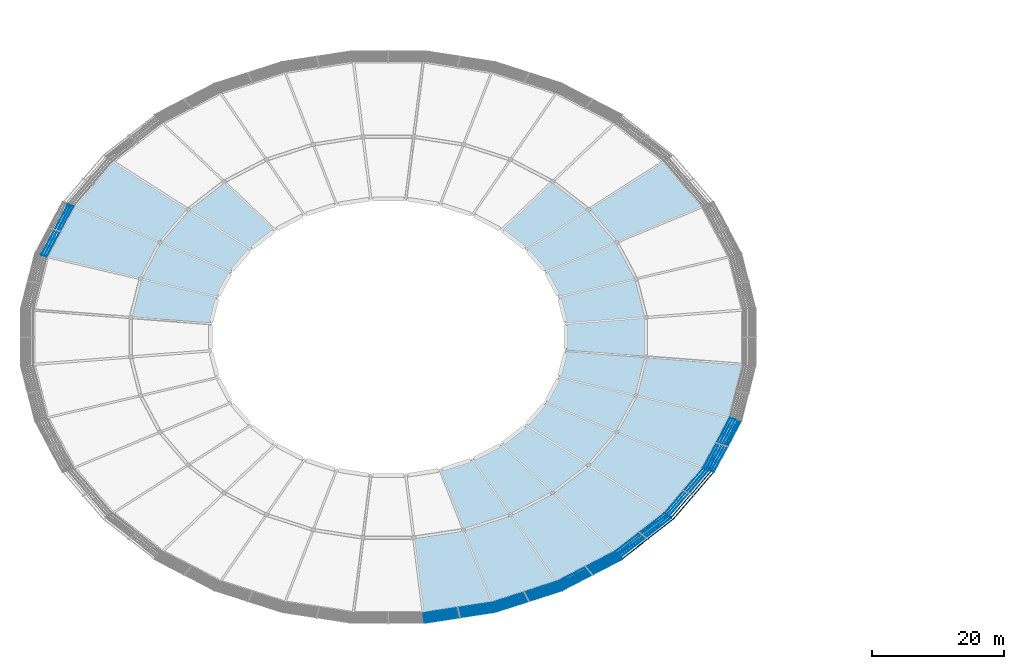
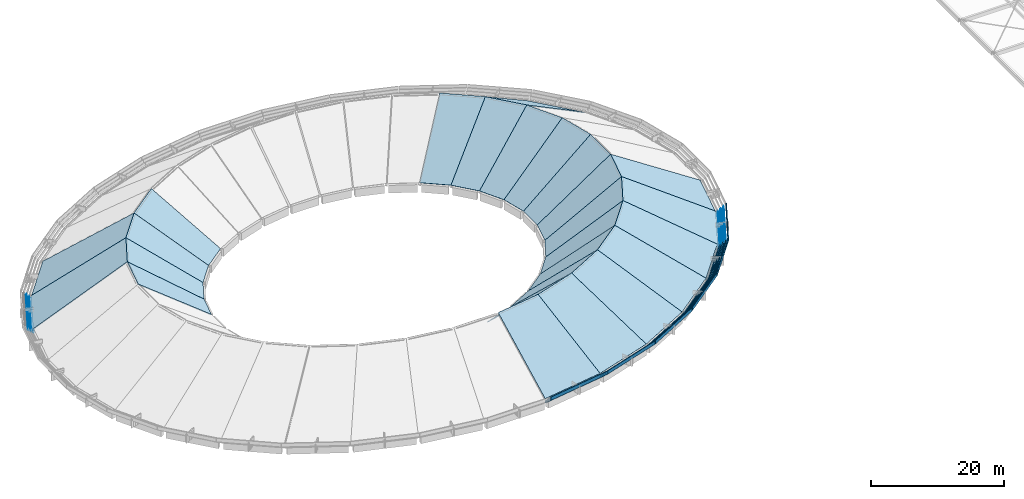
# One storey, part 6 of 15: 33 plates, 25 slabs.
"""IFC4 building model written with IfcOpenShell, lengths in metres."""

from ifc_helpers import new_model, si_unit, direction, frame, origin, origin_2d, place, context, subcontext, project, spatial, polyline, rectangle, outline, extrude, material, layer, layer_set, type_object, element, save


model = new_model("IFC4")

# Units and contexts
model_context = context("Model", 3, precision=1e-05, world=origin(), true_north=direction((0.0, 1.0)))
body_context = subcontext(model_context, "Body", "Model", "MODEL_VIEW")
ifc_project = project(units=[si_unit("LENGTHUNIT", "METRE"), si_unit("AREAUNIT", "SQUARE_METRE"), si_unit("VOLUMEUNIT", "CUBIC_METRE"), si_unit("PLANEANGLEUNIT", "RADIAN"), si_unit("MASSUNIT", "GRAM", prefix="KILO")], contexts=[model_context])

# Site, building, storey
site_placement = place(None, origin())
site = spatial("IfcSite", under=ifc_project, at=site_placement, CompositionType="ELEMENT")
building_placement = place(site_placement, origin())
building = spatial("IfcBuilding", under=site, at=building_placement, Name="Corvandel Quay Wholesale Market", CompositionType="ELEMENT")
storey_placement = place(building_placement, frame((0.0, 0.0, 19.199951171875)))
storey = spatial("IfcBuildingStorey", under=building, at=storey_placement, Name="RF", CompositionType="ELEMENT", Elevation=19.199951171875)

# Plates
ifc_material_1 = material(Name="Architectural white precast concrete C45/55", Category="concrete")
ifc_layer_1 = layer(ifc_material_1, 0.090087890625)
ifc_layer_set_1 = layer_set([ifc_layer_1], Name="Architectural white precast concrete C45/55")
plate_type_1 = type_object("IfcPlateType", Name="Stepped White Precast Shell Fascia Band FP01", PredefinedType="SHEET", material=ifc_layer_set_1)
plate_1_placement = place(storey_placement, frame((64.110595703125, 58.072509765625, -4.8798828125), z_axis=(0.0, 0.0, 1.0), x_axis=(0.470087862033, 0.882619624736, 0.0)))
element("IfcPlate", 1, at=plate_1_placement, inside=storey, type_object=plate_type_1, Name="Stepped Shell Rim Fascia FP-0014", PredefinedType="SHEET", context=body_context, shape_type="SweptSolid", body=[
    extrude(rectangle(XDim=8.60009765625, YDim=0.090087890625, at=origin_2d()), origin(), (0.0, 0.0, 1.0), 0.4599609375),
])
plate_2_placement = place(storey_placement, frame((124.534912109375, 0.806884765625, -4.8798828125), z_axis=(0.0, 0.0, 1.0), x_axis=(0.98825506746, 0.152813355565, 0.0)))
element("IfcPlate", 2, at=plate_2_placement, inside=storey, type_object=plate_type_1, Name="Stepped Shell Rim Fascia FP-0025", PredefinedType="SHEET", context=body_context, shape_type="SweptSolid", body=[
    extrude(rectangle(XDim=10.49609375, YDim=0.090087890625, at=origin_2d()), origin(), (0.0, 0.0, 1.0), 0.4599609375),
])
plate_3_placement = place(storey_placement, frame((134.6650390625, 3.197021484375, -4.8798828125), z_axis=(0.0, 0.0, 1.0), x_axis=(0.951808747363, 0.306692204733, 0.0)))
element("IfcPlate", 3, at=plate_3_placement, inside=storey, type_object=plate_type_1, Name="Stepped Shell Rim Fascia FP-0026", PredefinedType="SHEET", context=body_context, shape_type="SweptSolid", body=[
    extrude(rectangle(XDim=10.264892578125, YDim=0.090087890625, at=origin_2d()), origin(), (0.0, 0.0, 1.0), 0.4599609375),
])
plate_4_placement = place(storey_placement, frame((144.0009765625, 7.077880859375, -4.8798828125), z_axis=(0.0, 0.0, 1.0), x_axis=(0.887332978338, 0.461129250378, 0.0)))
element("IfcPlate", 4, at=plate_4_placement, inside=storey, type_object=plate_type_1, Name="Stepped Shell Rim Fascia FP-0027", PredefinedType="SHEET", context=body_context, shape_type="SweptSolid", body=[
    extrude(rectangle(XDim=9.906982421875, YDim=0.090087890625, at=origin_2d()), origin(), (0.0, 0.0, 1.0), 0.4599609375),
])
plate_5_placement = place(storey_placement, frame((152.18408203125, 12.301513671875, -4.8798828125), z_axis=(0.0, 0.0, 1.0), x_axis=(0.789298462742, 0.614009720373, 0.0)))
element("IfcPlate", 5, at=plate_5_placement, inside=storey, type_object=plate_type_1, Name="Stepped Shell Rim Fascia FP-0028", PredefinedType="SHEET", context=body_context, shape_type="SweptSolid", body=[
    extrude(rectangle(XDim=9.469970703125, YDim=0.090087890625, at=origin_2d()), origin(), (0.0, 0.0, 1.0), 0.4599609375),
])
plate_6_placement = place(storey_placement, frame((158.8994140625, 18.66650390625, -4.8798828125), z_axis=(0.0, 0.0, 1.0), x_axis=(0.651568967347, 0.758589401976, 0.0)))
element("IfcPlate", 6, at=plate_6_placement, inside=storey, type_object=plate_type_1, Name="Stepped Shell Rim Fascia FP-0029", PredefinedType="SHEET", context=body_context, shape_type="SweptSolid", body=[
    extrude(rectangle(XDim=9.008056640625, YDim=0.090087890625, at=origin_2d()), origin(), (0.0, 0.0, 1.0), 0.4599609375),
])
plate_7_placement = place(storey_placement, frame((163.889404296875, 25.927490234375, -4.8798828125), z_axis=(0.0, 0.0, 1.0), x_axis=(0.470087862033, 0.882619624736, 0.0)))
element("IfcPlate", 7, at=plate_7_placement, inside=storey, type_object=plate_type_1, Name="Stepped Shell Rim Fascia FP-0030", PredefinedType="SHEET", context=body_context, shape_type="SweptSolid", body=[
    extrude(rectangle(XDim=8.60009765625, YDim=0.090087890625, at=origin_2d()), origin(), (0.0, 0.0, 1.0), 0.4599609375),
])
ifc_layer_2 = layer(ifc_material_1, 0.10009765625)
ifc_layer_set_2 = layer_set([ifc_layer_2], Name="Architectural white precast concrete C45/55")
plate_type_2 = type_object("IfcPlateType", Name="Stepped White Precast Shell Fascia Band FP02", PredefinedType="SHEET", material=ifc_layer_set_2)
plate_8_placement = place(storey_placement, frame((63.71142578125, 58.201416015625, -4.56005859375), z_axis=(0.0, 0.0, 1.0), x_axis=(0.470087862033, 0.882619624736, 0.0)))
element("IfcPlate", 8, at=plate_8_placement, inside=storey, type_object=plate_type_2, Name="Stepped Shell Rim Fascia FP-0046", PredefinedType="SHEET", context=body_context, shape_type="SweptSolid", body=[
    extrude(rectangle(XDim=8.6689453125, YDim=0.10009765625, at=origin_2d()), origin(), (0.0, 0.0, 1.0), 0.5),
])
plate_9_placement = place(storey_placement, frame((124.618896484375, 0.4775390625, -4.56005859375), z_axis=(0.0, 0.0, 1.0), x_axis=(0.98825506746, 0.152813355565, 0.0)))
element("IfcPlate", 9, at=plate_9_placement, inside=storey, type_object=plate_type_2, Name="Stepped Shell Rim Fascia FP-0057", PredefinedType="SHEET", context=body_context, shape_type="SweptSolid", body=[
    extrude(rectangle(XDim=10.5810546875, YDim=0.10009765625, at=origin_2d()), origin(), (0.0, 0.0, 1.0), 0.5),
])
plate_10_placement = place(storey_placement, frame((134.830078125, 2.886474609375, -4.56005859375), z_axis=(0.0, 0.0, 1.0), x_axis=(0.951808747363, 0.306692204733, 0.0)))
element("IfcPlate", 10, at=plate_10_placement, inside=storey, type_object=plate_type_2, Name="Stepped Shell Rim Fascia FP-0058", PredefinedType="SHEET", context=body_context, shape_type="SweptSolid", body=[
    extrude(rectangle(XDim=10.346923828125, YDim=0.10009765625, at=origin_2d()), origin(), (0.0, 0.0, 1.0), 0.5),
])
plate_11_placement = place(storey_placement, frame((144.240478515625, 6.798583984375, -4.56005859375), z_axis=(0.0, 0.0, 1.0), x_axis=(0.887332978338, 0.461129250378, 0.0)))
element("IfcPlate", 11, at=plate_11_placement, inside=storey, type_object=plate_type_2, Name="Stepped Shell Rim Fascia FP-0059", PredefinedType="SHEET", context=body_context, shape_type="SweptSolid", body=[
    extrude(rectangle(XDim=9.987060546875, YDim=0.10009765625, at=origin_2d()), origin(), (0.0, 0.0, 1.0), 0.5),
])
plate_12_placement = place(storey_placement, frame((152.489013671875, 12.0634765625, -4.56005859375), z_axis=(0.0, 0.0, 1.0), x_axis=(0.789405615633, 0.613871952452, 0.0)))
element("IfcPlate", 12, at=plate_12_placement, inside=storey, type_object=plate_type_2, Name="Stepped Shell Rim Fascia FP-0060", PredefinedType="SHEET", context=body_context, shape_type="SweptSolid", body=[
    extrude(rectangle(XDim=9.544921875, YDim=0.10009765625, at=origin_2d()), origin(), (0.0, 0.0, 1.0), 0.5),
])
plate_13_placement = place(storey_placement, frame((159.258544921875, 18.47900390625, -4.56005859375), z_axis=(0.0, 0.0, 1.0), x_axis=(0.65170135625, 0.758475670184, 0.0)))
element("IfcPlate", 13, at=plate_13_placement, inside=storey, type_object=plate_type_2, Name="Stepped Shell Rim Fascia FP-0061", PredefinedType="SHEET", context=body_context, shape_type="SweptSolid", body=[
    extrude(rectangle(XDim=9.0810546875, YDim=0.10009765625, at=origin_2d()), origin(), (0.0, 0.0, 1.0), 0.5),
])
plate_14_placement = place(storey_placement, frame((164.28857421875, 25.798583984375, -4.56005859375), z_axis=(0.0, 0.0, 1.0), x_axis=(0.470087862033, 0.882619624736, 0.0)))
element("IfcPlate", 14, at=plate_14_placement, inside=storey, type_object=plate_type_2, Name="Stepped Shell Rim Fascia FP-0062", PredefinedType="SHEET", context=body_context, shape_type="SweptSolid", body=[
    extrude(rectangle(XDim=8.6689453125, YDim=0.10009765625, at=origin_2d()), origin(), (0.0, 0.0, 1.0), 0.5),
])
ifc_layer_3 = layer(ifc_material_1, 0.110107421875)
ifc_layer_set_3 = layer_set([ifc_layer_3], Name="Architectural white precast concrete C45/55")
plate_type_3 = type_object("IfcPlateType", Name="Stepped White Precast Shell Fascia Band FP03", PredefinedType="SHEET", material=ifc_layer_set_3)
plate_15_placement = place(storey_placement, frame((63.31201171875, 58.330078125, -4.239990234375), z_axis=(0.0, 0.0, 1.0), x_axis=(0.470087862033, 0.882619624736, 0.0)))
element("IfcPlate", 15, at=plate_15_placement, inside=storey, type_object=plate_type_3, Name="Stepped Shell Rim Fascia FP-0078", PredefinedType="SHEET", context=body_context, shape_type="SweptSolid", body=[
    extrude(rectangle(XDim=8.739013671875, YDim=0.110107421875, at=origin_2d()), origin(), (0.0, 0.0, 1.0), 0.5400390625),
])
plate_16_placement = place(storey_placement, frame((124.70361328125, 0.14794921875, -4.239990234375), z_axis=(0.0, 0.0, 1.0), x_axis=(0.988228381447, 0.152985836284, 0.0)))
element("IfcPlate", 16, at=plate_16_placement, inside=storey, type_object=plate_type_3, Name="Stepped Shell Rim Fascia FP-0089", PredefinedType="SHEET", context=body_context, shape_type="SweptSolid", body=[
    extrude(rectangle(XDim=10.6650390625, YDim=0.110107421875, at=origin_2d()), origin(), (0.0, 0.0, 1.0), 0.5400390625),
])
plate_17_placement = place(storey_placement, frame((134.99560546875, 2.576416015625, -4.239990234375), z_axis=(0.0, 0.0, 1.0), x_axis=(0.951808747363, 0.306692204733, 0.0)))
element("IfcPlate", 17, at=plate_17_placement, inside=storey, type_object=plate_type_3, Name="Stepped Shell Rim Fascia FP-0090", PredefinedType="SHEET", context=body_context, shape_type="SweptSolid", body=[
    extrude(rectangle(XDim=10.429931640625, YDim=0.110107421875, at=origin_2d()), origin(), (0.0, 0.0, 1.0), 0.5400390625),
])
plate_18_placement = place(storey_placement, frame((144.48095703125, 6.51953125, -4.239990234375), z_axis=(0.0, 0.0, 1.0), x_axis=(0.887332978338, 0.461129250378, 0.0)))
element("IfcPlate", 18, at=plate_18_placement, inside=storey, type_object=plate_type_3, Name="Stepped Shell Rim Fascia FP-0091", PredefinedType="SHEET", context=body_context, shape_type="SweptSolid", body=[
    extrude(rectangle(XDim=10.06689453125, YDim=0.110107421875, at=origin_2d()), origin(), (0.0, 0.0, 1.0), 0.5400390625),
])
plate_19_placement = place(storey_placement, frame((152.794921875, 11.825927734375, -4.239990234375), z_axis=(0.0, 0.0, 1.0), x_axis=(0.789298462742, 0.614009720373, 0.0)))
element("IfcPlate", 19, at=plate_19_placement, inside=storey, type_object=plate_type_3, Name="Stepped Shell Rim Fascia FP-0092", PredefinedType="SHEET", context=body_context, shape_type="SweptSolid", body=[
    extrude(rectangle(XDim=9.62109375, YDim=0.110107421875, at=origin_2d()), origin(), (0.0, 0.0, 1.0), 0.5400390625),
])
plate_20_placement = place(storey_placement, frame((159.617919921875, 18.29248046875, -4.239990234375), z_axis=(0.0, 0.0, 1.0), x_axis=(0.651568967347, 0.758589401976, 0.0)))
element("IfcPlate", 20, at=plate_20_placement, inside=storey, type_object=plate_type_3, Name="Stepped Shell Rim Fascia FP-0093", PredefinedType="SHEET", context=body_context, shape_type="SweptSolid", body=[
    extrude(rectangle(XDim=9.154052734375, YDim=0.110107421875, at=origin_2d()), origin(), (0.0, 0.0, 1.0), 0.5400390625),
])
plate_21_placement = place(storey_placement, frame((164.68798828125, 25.669921875, -4.239990234375), z_axis=(0.0, 0.0, 1.0), x_axis=(0.470087862033, 0.882619624736, 0.0)))
element("IfcPlate", 21, at=plate_21_placement, inside=storey, type_object=plate_type_3, Name="Stepped Shell Rim Fascia FP-0094", PredefinedType="SHEET", context=body_context, shape_type="SweptSolid", body=[
    extrude(rectangle(XDim=8.739013671875, YDim=0.110107421875, at=origin_2d()), origin(), (0.0, 0.0, 1.0), 0.5400390625),
])
ifc_layer_4 = layer(ifc_material_1, 0.1201171875)
ifc_layer_set_4 = layer_set([ifc_layer_4], Name="Architectural white precast concrete C45/55")
plate_type_4 = type_object("IfcPlateType", Name="Stepped White Precast Shell Fascia Band FP04", PredefinedType="SHEET", material=ifc_layer_set_4)
plate_22_placement = place(storey_placement, frame((124.78759765625, -0.181396484375, -3.919921875), z_axis=(0.0, 0.0, 1.0), x_axis=(0.988228381447, 0.152985836284, 0.0)))
element("IfcPlate", 22, at=plate_22_placement, inside=storey, type_object=plate_type_4, Name="Stepped Shell Rim Fascia FP-0121", PredefinedType="SHEET", context=body_context, shape_type="SweptSolid", body=[
    extrude(rectangle(XDim=10.75, YDim=0.1201171875, at=origin_2d()), origin(), (0.0, 0.0, 1.0), 0.580078125),
])
plate_23_placement = place(storey_placement, frame((135.160400390625, 2.26611328125, -3.919921875), z_axis=(0.0, 0.0, 1.0), x_axis=(0.951808747363, 0.306692204733, 0.0)))
element("IfcPlate", 23, at=plate_23_placement, inside=storey, type_object=plate_type_4, Name="Stepped Shell Rim Fascia FP-0122", PredefinedType="SHEET", context=body_context, shape_type="SweptSolid", body=[
    extrude(rectangle(XDim=10.511962890625, YDim=0.1201171875, at=origin_2d()), origin(), (0.0, 0.0, 1.0), 0.580078125),
])
plate_24_placement = place(storey_placement, frame((144.720458984375, 6.240478515625, -3.919921875), z_axis=(0.0, 0.0, 1.0), x_axis=(0.887332978338, 0.461129250378, 0.0)))
element("IfcPlate", 24, at=plate_24_placement, inside=storey, type_object=plate_type_4, Name="Stepped Shell Rim Fascia FP-0123", PredefinedType="SHEET", context=body_context, shape_type="SweptSolid", body=[
    extrude(rectangle(XDim=10.14697265625, YDim=0.1201171875, at=origin_2d()), origin(), (0.0, 0.0, 1.0), 0.580078125),
])
plate_25_placement = place(storey_placement, frame((153.10009765625, 11.589111328125, -3.919921875), z_axis=(0.0, 0.0, 1.0), x_axis=(0.789405615633, 0.613871952452, 0.0)))
element("IfcPlate", 25, at=plate_25_placement, inside=storey, type_object=plate_type_4, Name="Stepped Shell Rim Fascia FP-0124", PredefinedType="SHEET", context=body_context, shape_type="SweptSolid", body=[
    extrude(rectangle(XDim=9.697021484375, YDim=0.1201171875, at=origin_2d()), origin(), (0.0, 0.0, 1.0), 0.580078125),
])
plate_26_placement = place(storey_placement, frame((159.97705078125, 18.10595703125, -3.919921875), z_axis=(0.0, 0.0, 1.0), x_axis=(0.65170135625, 0.758475670184, 0.0)))
element("IfcPlate", 26, at=plate_26_placement, inside=storey, type_object=plate_type_4, Name="Stepped Shell Rim Fascia FP-0125", PredefinedType="SHEET", context=body_context, shape_type="SweptSolid", body=[
    extrude(rectangle(XDim=9.22705078125, YDim=0.1201171875, at=origin_2d()), origin(), (0.0, 0.0, 1.0), 0.580078125),
])
plate_27_placement = place(storey_placement, frame((165.0869140625, 25.54150390625, -3.919921875), z_axis=(0.0, 0.0, 1.0), x_axis=(0.470087862033, 0.882619624736, 0.0)))
element("IfcPlate", 27, at=plate_27_placement, inside=storey, type_object=plate_type_4, Name="Stepped Shell Rim Fascia FP-0126", PredefinedType="SHEET", context=body_context, shape_type="SweptSolid", body=[
    extrude(rectangle(XDim=8.80810546875, YDim=0.1201171875, at=origin_2d()), origin(), (0.0, 0.0, 1.0), 0.580078125),
])
ifc_layer_5 = layer(ifc_material_1, 0.1298828125)
ifc_layer_set_5 = layer_set([ifc_layer_5], Name="Architectural white precast concrete C45/55")
plate_type_5 = type_object("IfcPlateType", Name="Stepped White Precast Shell Fascia Band FP05", PredefinedType="SHEET", material=ifc_layer_set_5)
plate_28_placement = place(storey_placement, frame((124.8720703125, -0.510986328125, -3.60009765625), z_axis=(0.0, 0.0, 1.0), x_axis=(0.988228381447, 0.152985836284, 0.0)))
element("IfcPlate", 28, at=plate_28_placement, inside=storey, type_object=plate_type_5, Name="Stepped Shell Rim Fascia FP-0153", PredefinedType="SHEET", context=body_context, shape_type="SweptSolid", body=[
    extrude(rectangle(XDim=10.833984375, YDim=0.1298828125, at=origin_2d()), origin(), (0.0, 0.0, 1.0), 0.6201171875),
])
plate_29_placement = place(storey_placement, frame((135.325927734375, 1.95556640625, -3.60009765625), z_axis=(0.0, 0.0, 1.0), x_axis=(0.951808747363, 0.306692204733, 0.0)))
element("IfcPlate", 29, at=plate_29_placement, inside=storey, type_object=plate_type_5, Name="Stepped Shell Rim Fascia FP-0154", PredefinedType="SHEET", context=body_context, shape_type="SweptSolid", body=[
    extrude(rectangle(XDim=10.594970703125, YDim=0.1298828125, at=origin_2d()), origin(), (0.0, 0.0, 1.0), 0.6201171875),
])
plate_30_placement = place(storey_placement, frame((144.9609375, 5.9609375, -3.60009765625), z_axis=(0.0, 0.0, 1.0), x_axis=(0.887332978338, 0.461129250378, 0.0)))
element("IfcPlate", 30, at=plate_30_placement, inside=storey, type_object=plate_type_5, Name="Stepped Shell Rim Fascia FP-0155", PredefinedType="SHEET", context=body_context, shape_type="SweptSolid", body=[
    extrude(rectangle(XDim=10.22705078125, YDim=0.1298828125, at=origin_2d()), origin(), (0.0, 0.0, 1.0), 0.6201171875),
])
plate_31_placement = place(storey_placement, frame((153.406005859375, 11.3515625, -3.60009765625), z_axis=(0.0, 0.0, 1.0), x_axis=(0.789405615633, 0.613871952452, 0.0)))
element("IfcPlate", 31, at=plate_31_placement, inside=storey, type_object=plate_type_5, Name="Stepped Shell Rim Fascia FP-0156", PredefinedType="SHEET", context=body_context, shape_type="SweptSolid", body=[
    extrude(rectangle(XDim=9.77294921875, YDim=0.1298828125, at=origin_2d()), origin(), (0.0, 0.0, 1.0), 0.6201171875),
])
plate_32_placement = place(storey_placement, frame((160.33642578125, 17.91943359375, -3.60009765625), z_axis=(0.0, 0.0, 1.0), x_axis=(0.65170135625, 0.758475670184, 0.0)))
element("IfcPlate", 32, at=plate_32_placement, inside=storey, type_object=plate_type_5, Name="Stepped Shell Rim Fascia FP-0157", PredefinedType="SHEET", context=body_context, shape_type="SweptSolid", body=[
    extrude(rectangle(XDim=9.299072265625, YDim=0.1298828125, at=origin_2d()), origin(), (0.0, 0.0, 1.0), 0.6201171875),
])
plate_33_placement = place(storey_placement, frame((165.486083984375, 25.4130859375, -3.60009765625), z_axis=(0.0, 0.0, 1.0), x_axis=(0.469933808689, 0.882701657102, 0.0)))
element("IfcPlate", 33, at=plate_33_placement, inside=storey, type_object=plate_type_5, Name="Stepped Shell Rim Fascia FP-0158", PredefinedType="SHEET", context=body_context, shape_type="SweptSolid", body=[
    extrude(rectangle(XDim=8.8759765625, YDim=0.1298828125, at=origin_2d()), origin(), (0.0, 0.0, 1.0), 0.6201171875),
])

# Slabs
ifc_material_2 = material(Name="Concrete C40/50", Category="concrete")
ifc_layer_6 = layer(ifc_material_2, 0.139892578125)
ifc_layer_set_6 = layer_set([ifc_layer_6], Name="Concrete C40/50")
slab_type = type_object("IfcSlabType", Name="Thin Concrete Radial Shell Roof 140", PredefinedType="ROOF", material=ifc_layer_set_6)
slab_1_placement = place(storey_placement, frame((153.14990234375, 44.9990234375, 5.199951171875), z_axis=(-0.591806888621, -0.151403953232, 0.791733193397), x_axis=(-0.247831588278, 0.968803129441, 1.5387178e-05)))
element("IfcSlab", 34, at=slab_1_placement, inside=storey, type_object=slab_type, Name="Radial Shell Roof SLB-0144", PredefinedType="ROOF", context=body_context, shape_type="SweptSolid", body=[
    extrude(outline(polyline([(0.0, 0.0), (6.072481181710792, 0.0), (6.296713472825603, 15.158955923027602), (2.10912032944656, 15.158697481207437), (0.0, 0.0)])), origin(), (0.0, 0.0, -1.0), 0.139892578125),
])
slab_2_placement = place(storey_placement, frame((151.64501953125, 50.882080078125, 5.199951171875), z_axis=(-0.5504413248, -0.293111333083, 0.781728913608), x_axis=(-0.470041673095, 0.882644223378, -2.2176866e-05)))
element("IfcSlab", 35, at=slab_2_placement, inside=storey, type_object=slab_type, Name="Radial Shell Roof SLB-0146", PredefinedType="ROOF", context=body_context, shape_type="SweptSolid", body=[
    extrude(outline(polyline([(0.0, 0.0), (6.277804442500569, 0.0), (7.3882096724247175, 14.848577210233055), (3.058230995123291, 14.84895443993784), (0.0, 0.0)])), origin(), (0.0, 0.0, -1.0), 0.139892578125),
])
slab_3_placement = place(storey_placement, frame((161.85400390625, 61.89404296875, -4.06005859375), z_axis=(0.42806130219, 0.367690972879, 0.825570632975), x_axis=(-0.651596720068, 0.758565563647, 6.820017e-06)))
element("IfcSlab", 36, at=slab_3_placement, inside=storey, type_object=slab_type, Name="Radial Shell Roof SLB-0147", PredefinedType="ROOF", context=body_context, shape_type="SweptSolid", body=[
    extrude(outline(polyline([(0.0, 0.0), (9.068344418238647, -8.881784197001252e-16), (11.000071941289645, 16.409630551548474), (4.424946524041526, 16.40981961579577), (0.0, 0.0)])), origin(), (0.0, 0.0, -1.0), 0.139892578125),
])
slab_4_placement = place(storey_placement, frame((148.694091796875, 56.423095703125, 5.199951171875), z_axis=(-0.486337734963, -0.4177545341, 0.767435180839), x_axis=(-0.651582332793, 0.75857792178, 1.3408845e-05)))
element("IfcSlab", 37, at=slab_4_placement, inside=storey, type_object=slab_type, Name="Radial Shell Roof SLB-0148", PredefinedType="ROOF", context=body_context, shape_type="SweptSolid", body=[
    extrude(outline(polyline([(0.0, 0.0), (6.575125419389471, 0.0), (8.155010574426745, 14.443512327622598), (3.620070273155197, 14.443279966089186), (0.0, 0.0)])), origin(), (0.0, 0.0, -1.0), 0.139892578125),
])
slab_5_placement = place(storey_placement, frame((144.409912109375, 61.410888671875, 5.199951171875), z_axis=(-0.405003810344, -0.520725098027, 0.751543269474), x_axis=(-0.78935046317, 0.613942868873, 7.338628e-06)))
element("IfcSlab", 38, at=slab_5_placement, inside=storey, type_object=slab_type, Name="Radial Shell Roof SLB-0150", PredefinedType="ROOF", context=body_context, shape_type="SweptSolid", body=[
    extrude(outline(polyline([(0.0, 0.0), (6.908095242420851, -4.440892098500626e-16), (8.516015358621654, 14.037137613513867), (3.7514661894088084, 14.037007761615845), (0.0, 0.0)])), origin(), (0.0, 0.0, -1.0), 0.139892578125),
])
slab_6_placement = place(storey_placement, frame((89.04296875, 65.652099609375, 5.199951171875), z_axis=(0.405003810344, -0.520725098027, 0.751543269474), x_axis=(-0.78935046317, -0.613942868873, -7.338628e-06)))
element("IfcSlab", 39, at=slab_6_placement, inside=storey, type_object=slab_type, Name="Radial Shell Roof SLB-0166", PredefinedType="ROOF", context=body_context, shape_type="SweptSolid", body=[
    extrude(outline(polyline([(0.0, 0.0), (6.908095242420851, 4.440892098500626e-16), (3.1566290530120416, 14.037007761615843), (-1.6079201162008032, 14.037137613513867), (0.0, 0.0)])), origin(), (0.0, 0.0, -1.0), 0.139892578125),
])
slab_7_placement = place(storey_placement, frame((72.054931640625, 68.77294921875, -4.06005859375), z_axis=(-0.42806130219, 0.367690972879, 0.825570632975), x_axis=(-0.651596720068, -0.758565563647, -6.820017e-06)))
element("IfcSlab", 40, at=slab_7_placement, inside=storey, type_object=slab_type, Name="Radial Shell Roof SLB-0167", PredefinedType="ROOF", context=body_context, shape_type="SweptSolid", body=[
    extrude(outline(polyline([(0.0, 0.0), (9.068344418238647, 8.881784197001252e-16), (4.64339789419712, 16.40981961579577), (-1.9317275230509987, 16.409630551548474), (0.0, 0.0)])), origin(), (0.0, 0.0, -1.0), 0.139892578125),
])
slab_8_placement = place(storey_placement, frame((83.590087890625, 61.410888671875, 5.199951171875), z_axis=(0.486337734963, -0.4177545341, 0.767435180839), x_axis=(-0.651582332793, -0.75857792178, -1.3408845e-05)))
element("IfcSlab", 41, at=slab_8_placement, inside=storey, type_object=slab_type, Name="Radial Shell Roof SLB-0168", PredefinedType="ROOF", context=body_context, shape_type="SweptSolid", body=[
    extrude(outline(polyline([(0.0, 0.0), (6.575125419389471, 0.0), (2.955055146234273, 14.443279966089186), (-1.5798851550372752, 14.443512327622598), (0.0, 0.0)])), origin(), (0.0, 0.0, -1.0), 0.139892578125),
])
slab_9_placement = place(storey_placement, frame((66.14599609375, 61.89404296875, -4.06005859375), z_axis=(-0.482418018406, 0.256940614151, 0.837409324236), x_axis=(-0.470108211626, -0.882608786043, -1.2691939e-05)))
element("IfcSlab", 42, at=slab_9_placement, inside=storey, type_object=slab_type, Name="Radial Shell Roof SLB-0169", PredefinedType="ROOF", context=body_context, shape_type="SweptSolid", body=[
    extrude(outline(polyline([(0.0, 0.0), (8.659669210139933, 4.440892098500626e-16), (4.919810284320799, 16.941957864994762), (-1.357994149751662, 16.94161100489588), (0.0, 0.0)])), origin(), (0.0, 0.0, -1.0), 0.139892578125),
])
slab_10_placement = place(storey_placement, frame((79.305908203125, 56.423095703125, 5.199951171875), z_axis=(0.5504413248, -0.293111333083, 0.781728913608), x_axis=(-0.470041673095, -0.882644223378, 2.2176866e-05)))
element("IfcSlab", 43, at=slab_10_placement, inside=storey, type_object=slab_type, Name="Radial Shell Roof SLB-0170", PredefinedType="ROOF", context=body_context, shape_type="SweptSolid", body=[
    extrude(outline(polyline([(0.0, 0.0), (6.277804442500569, 0.0), (3.219573447377279, 14.84895443993784), (-1.1104052299241471, 14.848577210233056), (0.0, 0.0)])), origin(), (0.0, 0.0, -1.0), 0.139892578125),
])
slab_11_placement = place(storey_placement, frame((76.35498046875, 50.882080078125, 5.199951171875), z_axis=(0.591806888621, -0.151403953232, 0.791733193397), x_axis=(-0.247831588278, -0.968803129441, -1.5387178e-05)))
element("IfcSlab", 44, at=slab_11_placement, inside=storey, type_object=slab_type, Name="Radial Shell Roof SLB-0172", PredefinedType="ROOF", context=body_context, shape_type="SweptSolid", body=[
    extrude(outline(polyline([(0.0, 0.0), (6.072481181710792, 0.0), (3.963360852264233, 15.158697481207437), (-0.22423229111481002, 15.158955923027602), (0.0, 0.0)])), origin(), (0.0, 0.0, -1.0), 0.139892578125),
])
slab_12_placement = place(storey_placement, frame((119.319091796875, 0.0, -4.06005859375), z_axis=(0.095188609555, -0.615315934304, 0.782512255241), x_axis=(0.9882428482, 0.15289235719, 9.76469e-06)))
element("IfcSlab", 45, at=slab_12_placement, inside=storey, type_object=slab_type, Name="Radial Shell Roof SLB-0191", PredefinedType="ROOF", context=body_context, shape_type="SweptSolid", body=[
    extrude(outline(polyline([(0.0, 0.0), (10.556005867700481, 2.220446049250313e-16), (7.973978418097307, 14.872162969040577), (0.3200721440317339, 14.872448552245396), (0.0, 0.0)])), origin(), (0.0, 0.0, -1.0), 0.139892578125),
])
slab_13_placement = place(storey_placement, frame((129.7509765625, 1.614013671875, -4.06005859375), z_axis=(0.188344739419, -0.584539638237, 0.789201919957), x_axis=(0.951824003808, 0.306644851211, -3.1644089e-05)))
element("IfcSlab", 46, at=slab_13_placement, inside=storey, type_object=slab_type, Name="Radial Shell Roof SLB-0193", PredefinedType="ROOF", context=body_context, shape_type="SweptSolid", body=[
    extrude(outline(polyline([(0.0, 0.0), (10.325487677681938, 4.440892098500626e-16), (6.7678065141877735, 15.078512002982059), (-0.7171102965414349, 15.07759429739188), (0.0, 0.0)])), origin(), (0.0, 0.0, -1.0), 0.139892578125),
])
slab_14_placement = place(storey_placement, frame((125.419921875, 12.719970703125, 5.199951171875), z_axis=(-0.211395004815, 0.655964460784, 0.724584555541), x_axis=(0.951789696965, 0.306751320058, -1.9841279e-05)))
element("IfcSlab", 47, at=slab_14_placement, inside=storey, type_object=slab_type, Name="Radial Shell Roof SLB-0194", PredefinedType="ROOF", context=body_context, shape_type="SweptSolid", body=[
    extrude(outline(polyline([(0.0, 0.0), (7.484916875631923, 4.440892098500626e-16), (4.576330291082404, 13.436024739334957), (-0.5854840206809269, 13.436388831685411), (0.0, 0.0)])), origin(), (0.0, 0.0, -1.0), 0.139892578125),
])
slab_15_placement = place(storey_placement, frame((139.5791015625, 4.780029296875, -4.06005859375), z_axis=(0.276939473151, -0.532975440245, 0.799525927226), x_axis=(0.887344754904, 0.461106587953, 2.2135352e-05)))
element("IfcSlab", 48, at=slab_15_placement, inside=storey, type_object=slab_type, Name="Radial Shell Roof SLB-0195", PredefinedType="ROOF", context=body_context, shape_type="SweptSolid", body=[
    extrude(outline(polyline([(0.0, 0.0), (9.966893375153198, -4.440892098500626e-16), (5.7044488904239055, 15.41691088403648), (-1.5224782647576496, 15.417544535812464), (0.0, 0.0)])), origin(), (0.0, 0.0, -1.0), 0.139892578125),
])
slab_16_placement = place(storey_placement, frame((132.5439453125, 15.01611328125, 5.199951171875), z_axis=(-0.311852115671, 0.600173325822, 0.73657330723), x_axis=(0.887375367341, 0.461047672801, 2.9013476e-05)))
element("IfcSlab", 49, at=slab_16_placement, inside=storey, type_object=slab_type, Name="Radial Shell Roof SLB-0196", PredefinedType="ROOF", context=body_context, shape_type="SweptSolid", body=[
    extrude(outline(polyline([(0.0, 0.0), (7.226927182622102, 0.0), (3.7370961708155592, 13.691154769169657), (-1.2462984574437515, 13.690630987350017), (0.0, 0.0)])), origin(), (0.0, 0.0, -1.0), 0.139892578125),
])
slab_17_placement = place(storey_placement, frame((148.423095703125, 9.3759765625, -4.06005859375), z_axis=(0.358150608725, -0.46044593596, 0.81223006687), x_axis=(0.789323027077, 0.613978141995, 8.886178e-06)))
element("IfcSlab", 50, at=slab_17_placement, inside=storey, type_object=slab_type, Name="Radial Shell Roof SLB-0197", PredefinedType="ROOF", context=body_context, shape_type="SweptSolid", body=[
    extrude(outline(polyline([(0.0, 0.0), (9.529697904121809, 8.881784197001252e-16), (4.94495999699392, 15.874121215970113), (-1.9631352404312545, 15.87437161857978), (0.0, 0.0)])), origin(), (0.0, 0.0, -1.0), 0.139892578125),
])
slab_18_placement = place(storey_placement, frame((138.95703125, 18.347900390625, 5.199951171875), z_axis=(-0.405003810344, 0.520725098027, 0.751543269474), x_axis=(0.78935046317, 0.613942868873, -7.338628e-06)))
element("IfcSlab", 51, at=slab_18_placement, inside=storey, type_object=slab_type, Name="Radial Shell Roof SLB-0198", PredefinedType="ROOF", context=body_context, shape_type="SweptSolid", body=[
    extrude(outline(polyline([(0.0, 0.0), (6.908095242420851, 4.440892098500626e-16), (3.1566290530120416, 14.037007761615843), (-1.6079201162008032, 14.037137613513867), (0.0, 0.0)])), origin(), (0.0, 0.0, -1.0), 0.139892578125),
])
slab_19_placement = place(storey_placement, frame((155.945068359375, 15.22705078125, -4.06005859375), z_axis=(0.42806130219, -0.367690972879, 0.825570632975), x_axis=(0.651596720068, 0.758565563647, -6.820017e-06)))
element("IfcSlab", 52, at=slab_19_placement, inside=storey, type_object=slab_type, Name="Radial Shell Roof SLB-0199", PredefinedType="ROOF", context=body_context, shape_type="SweptSolid", body=[
    extrude(outline(polyline([(0.0, 0.0), (9.068344418238647, 8.881784197001252e-16), (4.64339789419712, 16.40981961579577), (-1.9317275230509987, 16.409630551548474), (0.0, 0.0)])), origin(), (0.0, 0.0, -1.0), 0.139892578125),
])
slab_20_placement = place(storey_placement, frame((144.409912109375, 22.589111328125, 5.199951171875), z_axis=(-0.486337734963, 0.4177545341, 0.767435180839), x_axis=(0.651582332793, 0.75857792178, -1.3408845e-05)))
element("IfcSlab", 53, at=slab_20_placement, inside=storey, type_object=slab_type, Name="Radial Shell Roof SLB-0200", PredefinedType="ROOF", context=body_context, shape_type="SweptSolid", body=[
    extrude(outline(polyline([(0.0, 0.0), (6.575125419389471, 0.0), (2.955055146234273, 14.443279966089186), (-1.5798851550372752, 14.443512327622598), (0.0, 0.0)])), origin(), (0.0, 0.0, -1.0), 0.139892578125),
])
slab_21_placement = place(storey_placement, frame((161.85400390625, 22.10595703125, -4.06005859375), z_axis=(0.482418018406, -0.256940614151, 0.837409324236), x_axis=(0.470108211626, 0.882608786043, -1.2691939e-05)))
element("IfcSlab", 54, at=slab_21_placement, inside=storey, type_object=slab_type, Name="Radial Shell Roof SLB-0201", PredefinedType="ROOF", context=body_context, shape_type="SweptSolid", body=[
    extrude(outline(polyline([(0.0, 0.0), (8.659669210139933, 4.440892098500626e-16), (4.919810284320799, 16.941957864994762), (-1.357994149751662, 16.94161100489588), (0.0, 0.0)])), origin(), (0.0, 0.0, -1.0), 0.139892578125),
])
slab_22_placement = place(storey_placement, frame((148.694091796875, 27.576904296875, 5.199951171875), z_axis=(-0.5504413248, 0.293111333083, 0.781728913608), x_axis=(0.470041673095, 0.882644223378, 2.2176866e-05)))
element("IfcSlab", 55, at=slab_22_placement, inside=storey, type_object=slab_type, Name="Radial Shell Roof SLB-0202", PredefinedType="ROOF", context=body_context, shape_type="SweptSolid", body=[
    extrude(outline(polyline([(0.0, 0.0), (6.277804442500569, 0.0), (3.219573447377279, 14.84895443993784), (-1.1104052299241471, 14.848577210233056), (0.0, 0.0)])), origin(), (0.0, 0.0, -1.0), 0.139892578125),
])
slab_23_placement = place(storey_placement, frame((165.925048828125, 29.7490234375, -4.06005859375), z_axis=(0.517150920127, -0.132264423739, 0.845612823948), x_axis=(0.247759982389, 0.968821444306, 1.3371574e-05)))
element("IfcSlab", 56, at=slab_23_placement, inside=storey, type_object=slab_type, Name="Radial Shell Roof SLB-0203", PredefinedType="ROOF", context=body_context, shape_type="SweptSolid", body=[
    extrude(outline(polyline([(0.0, 0.0), (8.37512031050903, -2.220446049250313e-16), (5.7984443421346334, 17.34730032008074), (-0.2740368284941346, 17.347662231568922), (0.0, 0.0)])), origin(), (0.0, 0.0, -1.0), 0.139892578125),
])
slab_24_placement = place(storey_placement, frame((151.64501953125, 33.117919921875, 5.199951171875), z_axis=(-0.591806888621, 0.151403953232, 0.791733193397), x_axis=(0.247831588278, 0.968803129441, -1.5387178e-05)))
element("IfcSlab", 57, at=slab_24_placement, inside=storey, type_object=slab_type, Name="Radial Shell Roof SLB-0204", PredefinedType="ROOF", context=body_context, shape_type="SweptSolid", body=[
    extrude(outline(polyline([(0.0, 0.0), (6.072481181710792, 0.0), (3.963360852264233, 15.158697481207437), (-0.22423229111481002, 15.158955923027602), (0.0, 0.0)])), origin(), (0.0, 0.0, -1.0), 0.139892578125),
])
slab_25_placement = place(storey_placement, frame((153.14990234375, 39.0009765625, 5.199951171875), z_axis=(-0.606165030379, 0.0, 0.795338893771), x_axis=(0.0, 1.0, 0.0)))
element("IfcSlab", 58, at=slab_25_placement, inside=storey, type_object=slab_type, Name="Radial Shell Roof SLB-0206", PredefinedType="ROOF", context=body_context, shape_type="SweptSolid", body=[
    extrude(outline(polyline([(0.0, 0.0), (5.998046875, 0.0), (5.067138671875, 15.276383990399435), (0.930908203125, 15.276383990399435), (0.0, 0.0)])), origin(), (0.0, 0.0, -1.0), 0.139892578125),
])

save(model, "model.ifc")
